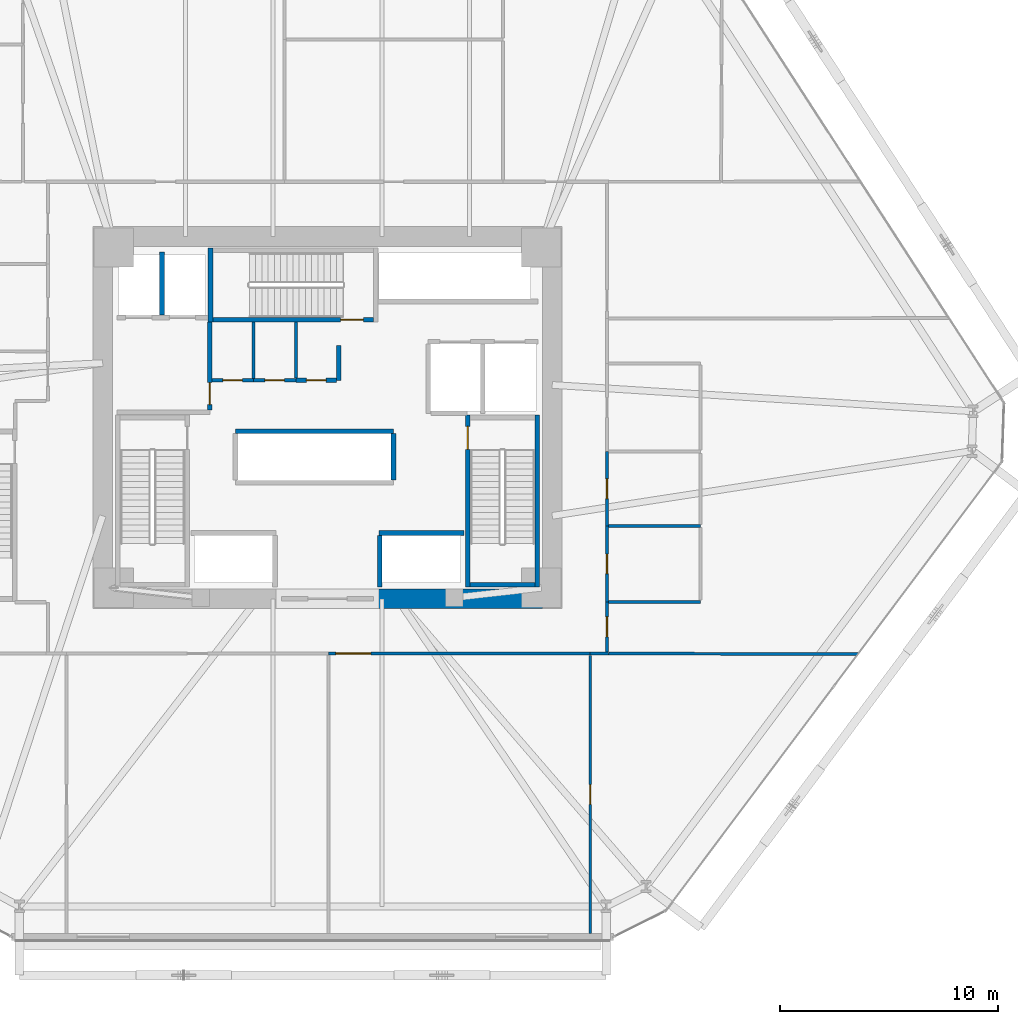
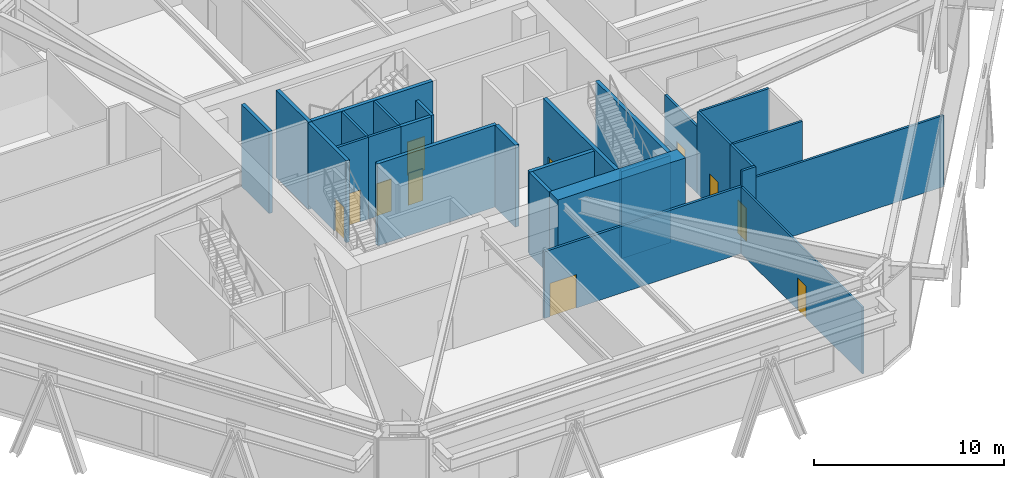
# One storey, part 18 of 23: 27 walls, 11 doors, 11 openings.
"""IFC4 building model written with IfcOpenShell, lengths in metres."""

from ifc_helpers import new_model, si_unit, direction, frame, frame_2d, origin, place, context, subcontext, project, spatial, rectangle, extrude, source, transform, mapped, material, layer, layer_set, type_object, type_shapes, element, fill, save


model = new_model("IFC4")

# Units and contexts
model_context = context("Model", 3, precision=1e-05, world=origin(), true_north=direction((0.0, 1.0)))
body_context = subcontext(model_context, "Body", "Model", "MODEL_VIEW")
ifc_project = project(units=[si_unit("LENGTHUNIT", "METRE"), si_unit("AREAUNIT", "SQUARE_METRE"), si_unit("VOLUMEUNIT", "CUBIC_METRE"), si_unit("PLANEANGLEUNIT", "RADIAN"), si_unit("MASSUNIT", "GRAM", prefix="KILO")], contexts=[model_context])

# Site, building, storey
site_placement = place(None, origin())
site = spatial("IfcSite", under=ifc_project, at=site_placement, CompositionType="ELEMENT")
building_placement = place(site_placement, origin())
building = spatial("IfcBuilding", under=site, at=building_placement, Name="Durnholm Broadcast Tower", CompositionType="ELEMENT")
storey_placement = place(building_placement, frame((0.0, 0.0, 21.199951171875)))
storey = spatial("IfcBuildingStorey", under=building, at=storey_placement, Name="L04", CompositionType="ELEMENT", Elevation=21.199951171875)

# Wall
ifc_material_1 = material(Name="Concrete C70/85", Category="concrete")
ifc_layer_1 = layer(ifc_material_1, 0.89990234375)
ifc_layer_set_1 = layer_set([ifc_layer_1], Name="Concrete C70/85")
wall_type_1 = type_object("IfcWallType", Name="WALL-CW-900", PredefinedType="SHEAR", material=ifc_layer_set_1)
wall_1_placement = place(storey_placement, frame((2.10009765625, -8.300048828125, 0.0), z_axis=(0.0, 0.0, 1.0), x_axis=(1.0, 0.0, 0.0)))
element("IfcWall", 1, at=wall_1_placement, inside=storey, type_object=wall_type_1, Name="L04 central core shear wall CW-S2", PredefinedType="SHEAR", context=body_context, shape_type="SweptSolid", body=[
    extrude(rectangle(XDim=7.75, YDim=0.89990234375, at=frame_2d((3.875, 0.0))), origin(), (0.0, 0.0, 1.0), 5.60009765625),
])

# Wall, opening, door
ifc_material_2 = material(Name="Fire-Rated Gypsum Shaftwall", Category="concrete")
ifc_layer_2 = layer(ifc_material_2, 0.199951171875)
ifc_layer_set_2 = layer_set([ifc_layer_2], Name="Fire-Rated Gypsum Shaftwall")
wall_type_2 = type_object("IfcWallType", Name="WALL-LOB-200", PredefinedType="SOLIDWALL", material=ifc_layer_set_2)
wall_2_placement = place(storey_placement, frame((-5.39990234375, 0.35400390625, 0.0), z_axis=(0.0, 0.0, 1.0), x_axis=(0.0, 1.0, 0.0)))
wall_2 = element("IfcWall", 2, at=wall_2_placement, inside=storey, type_object=wall_type_2, Name="L04 Fire Service Access Elevator lobby east fire wall", PredefinedType="SOLIDWALL", context=body_context, shape_type="SweptSolid", body=[
    extrude(rectangle(XDim=4.02587890625, YDim=0.199951171875, at=frame_2d((2.012939453125, 0.0))), origin(), (0.0, 0.0, 1.0), 5.26513671875),
])
opening_1_placement = place(wall_2_placement, frame((0.24609375, 0.0, 0.0)))
opening_1 = element("IfcOpeningElement", 3, at=opening_1_placement, cuts=wall_2, Name="Opening DL-60L", PredefinedType="OPENING", context=body_context, shape_type="SweptSolid", body=[
    extrude(rectangle(XDim=1.0, YDim=2.14990234375, at=frame_2d((0.5, 1.074951171875))), frame((0.0, 0.10986328125, 0.0), z_axis=(0.0, -1.0, 0.0), x_axis=(1.0, 0.0, 0.0)), (0.0, 0.0, 1.0), 0.219970703125),
])
ifc_material_3 = material(Name="Fire-Rated Timber/Steel Door", Category="steel")
ifc_layer_3 = layer(ifc_material_3, 0.050048828125)
ifc_layer_set_3 = layer_set([ifc_layer_3], Name="Fire-Rated Timber/Steel Door")
door_type_1 = type_object("IfcDoorType", Name="DOOR-LOB-FD60-L", OperationType="NOTDEFINED", PredefinedType="DOOR", material=ifc_layer_set_3)
shared_shape_1 = source(origin(), body_context, "Body", "SweptSolid", [
    extrude(rectangle(XDim=1.0, YDim=2.14990234375, at=frame_2d((0.5, 1.074951171875))), frame((0.0, 0.02490234375, 0.0), z_axis=(0.0, -1.0, 0.0), x_axis=(1.0, 0.0, 0.0)), (0.0, 0.0, 1.0), 0.050048828125),
])
type_shapes(door_type_1, [shared_shape_1])
door_1_placement = place(opening_1_placement, origin())
door_1 = element("IfcDoor", 4, at=door_1_placement, inside=storey, type_object=door_type_1, Name="L04 Fire Service Access Elevator lobby smoke door", OperationType="SINGLE_SWING_LEFT", OverallHeight=2.14990234375, OverallWidth=1.0, PredefinedType="DOOR", context=body_context, shape_type="MappedRepresentation", body=[
    mapped(shared_shape_1, transform((0.0, 0.0, 0.0), x_axis=(1.0, 0.0, 0.0), y_axis=(0.0, 1.0, 0.0), z_axis=(0.0, 0.0, 1.0), scale=1.0)),
])
fill(opening_1, door_1)

# Wall
wall_3_placement = place(storey_placement, frame((0.52001953125, 3.300048828125, 0.0), z_axis=(0.0, 0.0, 1.0), x_axis=(0.0, -1.0, 0.0)))
element("IfcWall", 5, at=wall_3_placement, inside=storey, type_object=wall_type_2, Name="L04 Core Telecom Patch Room corridor partition", PredefinedType="SOLIDWALL", context=body_context, shape_type="SweptSolid", body=[
    extrude(rectangle(XDim=1.590087890625, YDim=0.199951171875, at=frame_2d((0.794921875, 0.0))), origin(), (0.0, 0.0, 1.0), 5.26513671875),
])

# Wall, opening, door
wall_4_placement = place(storey_placement, frame((0.416015625, 1.7099609375, 0.0), z_axis=(0.0, 0.0, 1.0), x_axis=(-1.0, 0.0, 0.0)))
wall_4 = element("IfcWall", 6, at=wall_4_placement, inside=storey, type_object=wall_type_2, Name="L04 Core Telecom Patch Room corridor partition", PredefinedType="SOLIDWALL", context=body_context, shape_type="SweptSolid", body=[
    extrude(rectangle(XDim=1.85595703125, YDim=0.199951171875, at=frame_2d((0.927978515625, 0.0))), origin(), (0.0, 0.0, 1.0), 5.26513671875),
])
opening_2_placement = place(wall_4_placement, frame((0.47802734375, 0.0, 0.0)))
opening_2 = element("IfcOpeningElement", 7, at=opening_2_placement, cuts=wall_4, Name="Opening DC-60L", PredefinedType="OPENING", context=body_context, shape_type="SweptSolid", body=[
    extrude(rectangle(XDim=0.89990234375, YDim=2.050048828125, at=frame_2d((0.449951171875, 1.02490234375))), frame((0.0, 0.10986328125, 0.0), z_axis=(0.0, -1.0, 0.0), x_axis=(1.0, 0.0, 0.0)), (0.0, 0.0, 1.0), 0.219970703125),
])
ifc_material_4 = material(Name="Fire-Rated Core Service Door", Category="steel")
ifc_layer_4 = layer(ifc_material_4, 0.050048828125)
ifc_layer_set_4 = layer_set([ifc_layer_4], Name="Fire-Rated Core Service Door")
door_type_2 = type_object("IfcDoorType", Name="DOOR-CORE-FD60-L", OperationType="NOTDEFINED", PredefinedType="DOOR", material=ifc_layer_set_4)
shared_shape_2 = source(origin(), body_context, "Body", "SweptSolid", [
    extrude(rectangle(XDim=0.89990234375, YDim=2.050048828125, at=frame_2d((0.449951171875, 1.02490234375))), frame((0.0, 0.02490234375, 0.0), z_axis=(0.0, -1.0, 0.0), x_axis=(1.0, 0.0, 0.0)), (0.0, 0.0, 1.0), 0.050048828125),
])
type_shapes(door_type_2, [shared_shape_2])
door_2_placement = place(opening_2_placement, origin())
door_2 = element("IfcDoor", 8, at=door_2_placement, inside=storey, type_object=door_type_2, Name="L04 Core Telecom Patch Room entrance door", OperationType="SINGLE_SWING_LEFT", OverallHeight=2.050048828125, OverallWidth=0.89990234375, PredefinedType="DOOR", context=body_context, shape_type="MappedRepresentation", body=[
    mapped(shared_shape_2, transform((0.0, 0.0, 0.0), x_axis=(1.0, 0.0, 0.0), y_axis=(0.0, 1.0, 0.0), z_axis=(0.0, 0.0, 1.0), scale=1.0)),
])
fill(opening_2, door_2)

ifc_material_5 = material(Name="Operable Acoustic Panel Partition", Category="aluminium")
ifc_layer_5 = layer(ifc_material_5, 0.110107421875)
ifc_layer_set_5 = layer_set([ifc_layer_5], Name="Operable Acoustic Panel Partition")
wall_type_3 = type_object("IfcWallType", Name="WALL-MOV-110", PredefinedType="MOVABLE", material=ifc_layer_set_5)
wall_5_placement = place(storey_placement, frame((12.0400390625, -10.888916015625, 0.0), z_axis=(0.0, 0.0, 1.0), x_axis=(0.0, -1.0, 0.0)))
wall_5 = element("IfcWall", 9, at=wall_5_placement, inside=storey, type_object=wall_type_3, Name="L04 room dividing partition 16.17", PredefinedType="MOVABLE", context=body_context, shape_type="SweptSolid", body=[
    extrude(rectangle(XDim=12.756103515625, YDim=0.110107421875, at=frame_2d((6.3779296875, 0.0))), origin(), (0.0, 0.0, 1.0), 4.28466796875),
])
opening_3_placement = place(wall_5_placement, frame((5.927978515625, 0.0, 0.0)))
opening_3 = element("IfcOpeningElement", 10, at=opening_3_placement, cuts=wall_5, Name="Opening DW-90L", PredefinedType="OPENING", context=body_context, shape_type="SweptSolid", body=[
    extrude(rectangle(XDim=0.89990234375, YDim=2.050048828125, at=frame_2d((0.449951171875, 1.02490234375))), frame((0.0, 0.06494140625, 0.0), z_axis=(0.0, -1.0, 0.0), x_axis=(1.0, 0.0, 0.0)), (0.0, 0.0, 1.0), 0.130126953125),
])
ifc_material_6 = material(Name="Laminate Restroom Door", Category="steel")
ifc_layer_6 = layer(ifc_material_6, 0.050048828125)
ifc_layer_set_6 = layer_set([ifc_layer_6], Name="Laminate Restroom Door")
door_type_3 = type_object("IfcDoorType", Name="DOOR-WC-900L", OperationType="NOTDEFINED", PredefinedType="DOOR", material=ifc_layer_set_6)
shared_shape_3 = source(origin(), body_context, "Body", "SweptSolid", [
    extrude(rectangle(XDim=0.89990234375, YDim=2.050048828125, at=frame_2d((0.449951171875, 1.02490234375))), frame((0.0, 0.02490234375, 0.0), z_axis=(0.0, -1.0, 0.0), x_axis=(1.0, 0.0, 0.0)), (0.0, 0.0, 1.0), 0.050048828125),
])
type_shapes(door_type_3, [shared_shape_3])
door_3_placement = place(opening_3_placement, origin())
door_3 = element("IfcDoor", 11, at=door_3_placement, inside=storey, type_object=door_type_3, Name="L04 Live Audio Office connecting door", OperationType="SINGLE_SWING_LEFT", OverallHeight=2.050048828125, OverallWidth=0.89990234375, PredefinedType="DOOR", context=body_context, shape_type="MappedRepresentation", body=[
    mapped(shared_shape_3, transform((0.0, 0.0, 0.0), x_axis=(1.0, 0.0, 0.0), y_axis=(0.0, 1.0, 0.0), z_axis=(0.0, 0.0, 1.0), scale=1.0)),
])
fill(opening_3, door_3)

# Walls
ifc_material_7 = material(Name="Gypsum Metal Stud Partition", Category="concrete")
ifc_layer_7 = layer(ifc_material_7, 0.135009765625)
ifc_layer_set_7 = layer_set([ifc_layer_7], Name="Gypsum Metal Stud Partition")
wall_type_4 = type_object("IfcWallType", Name="WALL-PART-135", PredefinedType="PARTITIONING", material=ifc_layer_set_7)
wall_6_placement = place(storey_placement, frame((-3.39990234375, 4.375, 0.0), z_axis=(0.0, 0.0, 1.0), x_axis=(0.0, -1.0, 0.0)))
element("IfcWall", 12, at=wall_6_placement, inside=storey, type_object=wall_type_4, Name="L04 room dividing partition 1.2", PredefinedType="PARTITIONING", context=body_context, shape_type="SweptSolid", body=[
    extrude(rectangle(XDim=2.5859375, YDim=0.135009765625, at=frame_2d((1.29296875, 0.0))), origin(), (0.0, 0.0, 1.0), 5.26513671875),
])
wall_7_placement = place(storey_placement, frame((-1.43994140625, 4.375, 0.0), z_axis=(0.0, 0.0, 1.0), x_axis=(0.0, -1.0, 0.0)))
element("IfcWall", 13, at=wall_7_placement, inside=storey, type_object=wall_type_4, Name="L04 room dividing partition 2.3", PredefinedType="PARTITIONING", context=body_context, shape_type="SweptSolid", body=[
    extrude(rectangle(XDim=2.56103515625, YDim=0.135009765625, at=frame_2d((1.280517578125, 0.0))), origin(), (0.0, 0.0, 1.0), 5.26513671875),
])
wall_8_placement = place(storey_placement, frame((12.889892578125, -10.810302734375, 0.0), z_axis=(0.0, 0.0, 1.0), x_axis=(0.999997852069, -0.002072645121, 0.0)))
element("IfcWall", 14, at=wall_8_placement, inside=storey, type_object=wall_type_4, Name="L04 room dividing partition 17.21", PredefinedType="PARTITIONING", context=body_context, shape_type="SweptSolid", body=[
    extrude(rectangle(XDim=11.42578125, YDim=0.135009765625, at=frame_2d((5.712890625, 0.0))), origin(), (0.0, 0.0, 1.0), 4.57421875),
])

# Wall, opening, door
ifc_material_8 = material(Name="Acoustic Gypsum Stud Partition", Category="concrete")
ifc_layer_8 = layer(ifc_material_8, 0.14990234375)
ifc_layer_set_8 = layer_set([ifc_layer_8], Name="Acoustic Gypsum Stud Partition")
wall_type_5 = type_object("IfcWallType", Name="WALL-PART-150", PredefinedType="PARTITIONING", material=ifc_layer_set_8)
wall_9_placement = place(storey_placement, frame((-3.39990234375, 1.7099609375, 0.0), z_axis=(0.0, 0.0, 1.0), x_axis=(-1.0, 0.0, 0.0)))
wall_9 = element("IfcWall", 15, at=wall_9_placement, inside=storey, type_object=wall_type_5, Name="L04 Core Copy and Print Closet corridor partition", PredefinedType="PARTITIONING", context=body_context, shape_type="SweptSolid", body=[
    extrude(rectangle(XDim=1.89599609375, YDim=0.14990234375, at=frame_2d((0.947998046875, 0.0))), origin(), (0.0, 0.0, 1.0), 5.26513671875),
])
opening_4_placement = place(wall_9_placement, frame((0.498046875, 0.0, 0.0)))
opening_4 = element("IfcOpeningElement", 16, at=opening_4_placement, cuts=wall_9, Name="Opening DC-60L", PredefinedType="OPENING", context=body_context, shape_type="SweptSolid", body=[
    extrude(rectangle(XDim=0.89990234375, YDim=2.050048828125, at=frame_2d((0.449951171875, 1.02490234375))), frame((0.0, 0.0849609375, 0.0), z_axis=(0.0, -1.0, 0.0), x_axis=(1.0, 0.0, 0.0)), (0.0, 0.0, 1.0), 0.169921875),
])
door_4_placement = place(opening_4_placement, origin())
door_4 = element("IfcDoor", 17, at=door_4_placement, inside=storey, type_object=door_type_2, Name="L04 Core Copy and Print Closet entrance door", OperationType="SINGLE_SWING_LEFT", OverallHeight=2.050048828125, OverallWidth=0.89990234375, PredefinedType="DOOR", context=body_context, shape_type="MappedRepresentation", body=[
    mapped(shared_shape_2, transform((0.0, 0.0, 0.0), x_axis=(1.0, 0.0, 0.0), y_axis=(0.0, 1.0, 0.0), z_axis=(0.0, 0.0, 1.0), scale=1.0)),
])
fill(opening_4, door_4)

wall_10_placement = place(storey_placement, frame((-1.43994140625, 1.7099609375, 0.0), z_axis=(0.0, 0.0, 1.0), x_axis=(-1.0, 0.0, 0.0)))
wall_10 = element("IfcWall", 18, at=wall_10_placement, inside=storey, type_object=wall_type_5, Name="L04 Core Janitor Supply Closet corridor partition", PredefinedType="PARTITIONING", context=body_context, shape_type="SweptSolid", body=[
    extrude(rectangle(XDim=1.9599609375, YDim=0.14990234375, at=frame_2d((0.97998046875, 0.0))), origin(), (0.0, 0.0, 1.0), 5.26513671875),
])
opening_5_placement = place(wall_10_placement, frame((0.530029296875, 0.0, 0.0)))
opening_5 = element("IfcOpeningElement", 19, at=opening_5_placement, cuts=wall_10, Name="Opening DC-60R", PredefinedType="OPENING", context=body_context, shape_type="SweptSolid", body=[
    extrude(rectangle(XDim=0.89990234375, YDim=2.050048828125, at=frame_2d((0.449951171875, 1.02490234375))), frame((0.0, 0.0849609375, 0.0), z_axis=(0.0, -1.0, 0.0), x_axis=(1.0, 0.0, 0.0)), (0.0, 0.0, 1.0), 0.169921875),
])
ifc_layer_9 = layer(ifc_material_4, 0.050048828125)
ifc_layer_set_9 = layer_set([ifc_layer_9], Name="Fire-Rated Core Service Door")
door_type_4 = type_object("IfcDoorType", Name="DOOR-CORE-FD60-R", OperationType="NOTDEFINED", PredefinedType="DOOR", material=ifc_layer_set_9)
shared_shape_4 = source(origin(), body_context, "Body", "SweptSolid", [
    extrude(rectangle(XDim=0.89990234375, YDim=2.050048828125, at=frame_2d((0.449951171875, 1.02490234375))), frame((0.0, 0.02490234375, 0.0), z_axis=(0.0, -1.0, 0.0), x_axis=(1.0, 0.0, 0.0)), (0.0, 0.0, 1.0), 0.050048828125),
])
type_shapes(door_type_4, [shared_shape_4])
door_5_placement = place(opening_5_placement, origin())
door_5 = element("IfcDoor", 20, at=door_5_placement, inside=storey, type_object=door_type_4, Name="L04 Core Janitor Supply Closet entrance door", OperationType="SINGLE_SWING_RIGHT", OverallHeight=2.050048828125, OverallWidth=0.89990234375, PredefinedType="DOOR", context=body_context, shape_type="MappedRepresentation", body=[
    mapped(shared_shape_4, transform((0.0, 0.0, 0.0), x_axis=(1.0, 0.0, 0.0), y_axis=(0.0, 1.0, 0.0), z_axis=(0.0, 0.0, 1.0), scale=1.0)),
])
fill(opening_5, door_5)

wall_11_placement = place(storey_placement, frame((0.0400390625, -10.81005859375, 0.0), z_axis=(0.0, 0.0, 1.0), x_axis=(1.0, 0.0, 0.0)))
wall_11 = element("IfcWall", 21, at=wall_11_placement, inside=storey, type_object=wall_type_5, Name="L04 News Production Hall 4B corridor partition", PredefinedType="PARTITIONING", context=body_context, shape_type="SweptSolid", body=[
    extrude(rectangle(XDim=12.0, YDim=0.14990234375, at=frame_2d((6.0, 0.0))), origin(), (0.0, 0.0, 1.0), 4.28466796875),
])
opening_6_placement = place(wall_11_placement, frame((0.35009765625, 0.0, 0.0)))
opening_6 = element("IfcOpeningElement", 22, at=opening_6_placement, cuts=wall_11, Name="Opening DST-160", PredefinedType="OPENING", context=body_context, shape_type="SweptSolid", body=[
    extrude(rectangle(XDim=1.60009765625, YDim=2.14990234375, at=frame_2d((0.800048828125, 1.074951171875))), frame((0.0, 0.0849609375, 0.0), z_axis=(0.0, -1.0, 0.0), x_axis=(1.0, 0.0, 0.0)), (0.0, 0.0, 1.0), 0.169921875),
])
ifc_material_9 = material(Name="Acoustic Broadcast Studio Sound-Lock Door", Category="steel")
ifc_layer_10 = layer(ifc_material_9, 0.050048828125)
ifc_layer_set_10 = layer_set([ifc_layer_10], Name="Acoustic Broadcast Studio Sound-Lock Door")
door_type_5 = type_object("IfcDoorType", Name="DOOR-STU-1600", OperationType="DOUBLE_DOOR_SINGLE_SWING", PredefinedType="DOOR", material=ifc_layer_set_10)
shared_shape_5 = source(origin(), body_context, "Body", "SweptSolid", [
    extrude(rectangle(XDim=1.60009765625, YDim=2.14990234375, at=frame_2d((0.800048828125, 1.074951171875))), frame((0.0, 0.02490234375, 0.0), z_axis=(0.0, -1.0, 0.0), x_axis=(1.0, 0.0, 0.0)), (0.0, 0.0, 1.0), 0.050048828125),
])
type_shapes(door_type_5, [shared_shape_5])
door_6_placement = place(opening_6_placement, origin())
door_6 = element("IfcDoor", 23, at=door_6_placement, inside=storey, type_object=door_type_5, Name="L04 News Production Hall 4B entrance door", OperationType="DOUBLE_DOOR_SINGLE_SWING", OverallHeight=2.14990234375, OverallWidth=1.60009765625, PredefinedType="DOOR", context=body_context, shape_type="MappedRepresentation", body=[
    mapped(shared_shape_5, transform((0.0, 0.0, 0.0), x_axis=(1.0, 0.0, 0.0), y_axis=(0.0, 1.0, 0.0), z_axis=(0.0, 0.0, 1.0), scale=1.0)),
])
fill(opening_6, door_6)

# Wall
wall_12_placement = place(storey_placement, frame((12.0400390625, -10.81005859375, 0.0), z_axis=(0.0, 0.0, 1.0), x_axis=(1.0, 0.0, 0.0)))
element("IfcWall", 24, at=wall_12_placement, inside=storey, type_object=wall_type_5, Name="L04 Live Audio Office corridor partition", PredefinedType="PARTITIONING", context=body_context, shape_type="SweptSolid", body=[
    extrude(rectangle(XDim=0.849853515625, YDim=0.14990234375, at=frame_2d((0.4248046875, 0.0))), origin(), (0.0, 0.0, 1.0), 5.26513671875),
])

# Wall, opening, door
wall_13_placement = place(storey_placement, frame((12.81005859375, -10.73095703125, 0.0), z_axis=(0.0, 0.0, 1.0), x_axis=(0.0, 1.0, 0.0)))
wall_13 = element("IfcWall", 25, at=wall_13_placement, inside=storey, type_object=wall_type_5, Name="L04 Crew Dining Room corridor partition", PredefinedType="PARTITIONING", context=body_context, shape_type="SweptSolid", body=[
    extrude(rectangle(XDim=2.291015625, YDim=0.14990234375, at=frame_2d((1.1455078125, 0.0))), origin(), (0.0, 0.0, 1.0), 5.26513671875),
])
opening_7_placement = place(wall_13_placement, frame((0.685546875, 0.0, 0.0)))
opening_7 = element("IfcOpeningElement", 26, at=opening_7_placement, cuts=wall_13, Name="Opening DR-92L", PredefinedType="OPENING", context=body_context, shape_type="SweptSolid", body=[
    extrude(rectangle(XDim=0.919921875, YDim=2.10009765625, at=frame_2d((0.4599609375, 1.050048828125))), frame((0.0, 0.0849609375, 0.0), z_axis=(0.0, -1.0, 0.0), x_axis=(1.0, 0.0, 0.0)), (0.0, 0.0, 1.0), 0.169921875),
])
ifc_material_10 = material(Name="Oak Veneer Office Door", Category="wood")
ifc_layer_11 = layer(ifc_material_10, 0.050048828125)
ifc_layer_set_11 = layer_set([ifc_layer_11], Name="Oak Veneer Office Door")
door_type_6 = type_object("IfcDoorType", Name="DOOR-RM-920L", OperationType="NOTDEFINED", PredefinedType="DOOR", material=ifc_layer_set_11)
shared_shape_6 = source(origin(), body_context, "Body", "SweptSolid", [
    extrude(rectangle(XDim=0.919921875, YDim=2.10009765625, at=frame_2d((0.4599609375, 1.050048828125))), frame((0.0, 0.02490234375, 0.0), z_axis=(0.0, -1.0, 0.0), x_axis=(1.0, 0.0, 0.0)), (0.0, 0.0, 1.0), 0.050048828125),
])
type_shapes(door_type_6, [shared_shape_6])
door_7_placement = place(opening_7_placement, origin())
door_7 = element("IfcDoor", 27, at=door_7_placement, inside=storey, type_object=door_type_6, Name="L04 Crew Dining Room entrance door", OperationType="SINGLE_SWING_LEFT", OverallHeight=2.10009765625, OverallWidth=0.919921875, PredefinedType="DOOR", context=body_context, shape_type="MappedRepresentation", body=[
    mapped(shared_shape_6, transform((0.0, 0.0, 0.0), x_axis=(1.0, 0.0, 0.0), y_axis=(0.0, 1.0, 0.0), z_axis=(0.0, 0.0, 1.0), scale=1.0)),
])
fill(opening_7, door_7)

# Walls
ifc_material_11 = material(Name="Concrete Blockwork C30/37", Category="masonry")
ifc_layer_12 = layer(ifc_material_11, 0.219970703125)
ifc_layer_set_12 = layer_set([ifc_layer_12], Name="Concrete Blockwork C30/37")
wall_type_6 = type_object("IfcWallType", Name="WALL-SHAFT-220", PredefinedType="SOLIDWALL", material=ifc_layer_set_12)
wall_14_placement = place(storey_placement, frame((-7.580078125, 4.694091796875, 0.0), z_axis=(0.0, 0.0, 1.0), x_axis=(0.0, 1.0, 0.0)))
element("IfcWall", 28, at=wall_14_placement, inside=storey, type_object=wall_type_6, Name="L04 FSAE shaft divider wall", PredefinedType="SOLIDWALL", context=body_context, shape_type="SweptSolid", body=[
    extrude(rectangle(XDim=2.906005859375, YDim=0.219970703125, at=frame_2d((1.453125, 0.0))), origin(), (0.0, 0.0, 1.0), 5.26513671875),
])
wall_15_placement = place(storey_placement, frame((2.35009765625, -5.280029296875, 0.0), z_axis=(0.0, 0.0, 1.0), x_axis=(1.0, 0.0, 0.0)))
element("IfcWall", 29, at=wall_15_placement, inside=storey, type_object=wall_type_6, Name="L04 low-rise bank P1 east front wall", PredefinedType="SOLIDWALL", context=body_context, shape_type="SweptSolid", body=[
    extrude(rectangle(XDim=3.89990234375, YDim=0.219970703125, at=frame_2d((1.949951171875, 0.0))), origin(), (0.0, 0.0, 1.0), 5.26513671875),
])
wall_16_placement = place(storey_placement, frame((2.39990234375, -7.75, 0.0), z_axis=(0.0, 0.0, 1.0), x_axis=(0.0, 1.0, 0.0)))
element("IfcWall", 30, at=wall_16_placement, inside=storey, type_object=wall_type_6, Name="L04 low-rise bank P1 east mouth wall", PredefinedType="SOLIDWALL", context=body_context, shape_type="SweptSolid", body=[
    extrude(rectangle(XDim=2.35595703125, YDim=0.219970703125, at=frame_2d((1.177978515625, 0.0))), origin(), (0.0, 0.0, 1.0), 5.26513671875),
])
wall_17_placement = place(storey_placement, frame((-4.219970703125, -0.6201171875, 0.0), z_axis=(0.0, 0.0, 1.0), x_axis=(1.0, 0.0, 0.0)))
element("IfcWall", 31, at=wall_17_placement, inside=storey, type_object=wall_type_6, Name="L04 mid-rise bank P2 north shaft wall", PredefinedType="SOLIDWALL", context=body_context, shape_type="SweptSolid", body=[
    extrude(rectangle(XDim=7.239990234375, YDim=0.219970703125, at=frame_2d((3.6201171875, 0.0))), origin(), (0.0, 0.0, 1.0), 5.26513671875),
])
wall_18_placement = place(storey_placement, frame((3.02001953125, -2.865966796875, 0.0), z_axis=(0.0, 0.0, 1.0), x_axis=(0.0, 1.0, 0.0)))
element("IfcWall", 32, at=wall_18_placement, inside=storey, type_object=wall_type_6, Name="L04 mid-rise bank P2 east shaft wall", PredefinedType="SOLIDWALL", context=body_context, shape_type="SweptSolid", body=[
    extrude(rectangle(XDim=2.132080078125, YDim=0.219970703125, at=frame_2d((1.06591796875, 0.0))), origin(), (0.0, 0.0, 1.0), 5.26513671875),
])
ifc_material_12 = material(Name="Concrete C50/60", Category="concrete")
ifc_layer_13 = layer(ifc_material_12, 0.219970703125)
ifc_layer_set_13 = layer_set([ifc_layer_13], Name="Concrete C50/60")
wall_type_7 = type_object("IfcWallType", Name="WALL-SW-220", PredefinedType="SHEAR", material=ifc_layer_set_13)
wall_19_placement = place(storey_placement, frame((9.610107421875, -7.77001953125, -0.320068359375), z_axis=(0.0, 0.0, 1.0), x_axis=(0.0, 1.0, 0.0)))
element("IfcWall", 33, at=wall_19_placement, inside=storey, type_object=wall_type_7, Name="L04 stair ST-2 structural shaft wall E", PredefinedType="SHEAR", context=body_context, shape_type="SweptSolid", body=[
    extrude(rectangle(XDim=7.89013671875, YDim=0.219970703125, at=frame_2d((3.945068359375, 0.0))), origin(), (0.0, 0.0, 1.0), 5.60009765625),
])

# Wall, opening, door
wall_20_placement = place(storey_placement, frame((6.429931640625, 0.1201171875, -0.320068359375), z_axis=(0.0, 0.0, 1.0), x_axis=(0.0, -1.0, 0.0)))
wall_20 = element("IfcWall", 34, at=wall_20_placement, inside=storey, type_object=wall_type_7, Name="L04 stair ST-2 structural shaft wall W", PredefinedType="SHEAR", context=body_context, shape_type="SweptSolid", body=[
    extrude(rectangle(XDim=7.89013671875, YDim=0.219970703125, at=frame_2d((3.945068359375, 0.0))), origin(), (0.0, 0.0, 1.0), 5.60009765625),
])
opening_8_placement = place(wall_20_placement, frame((0.52001953125, 0.0, 0.0)))
opening_8 = element("IfcOpeningElement", 35, at=opening_8_placement, cuts=wall_20, Name="Opening DS-90R", PredefinedType="OPENING", context=body_context, shape_type="SweptSolid", body=[
    extrude(rectangle(XDim=1.050048828125, YDim=2.14990234375, at=frame_2d((0.52490234375, 1.074951171875))), frame((0.0, 0.1201171875, 0.0), z_axis=(0.0, -1.0, 0.0), x_axis=(1.0, 0.0, 0.0)), (0.0, 0.0, 1.0), 0.239990234375),
])
ifc_material_13 = material(Name="Fire-Rated Steel Door", Category="steel")
ifc_layer_14 = layer(ifc_material_13, 0.050048828125)
ifc_layer_set_14 = layer_set([ifc_layer_14], Name="Fire-Rated Steel Door")
door_type_7 = type_object("IfcDoorType", Name="DOOR-ST-FD90-R", OperationType="NOTDEFINED", PredefinedType="DOOR", material=ifc_layer_set_14)
shared_shape_7 = source(origin(), body_context, "Body", "SweptSolid", [
    extrude(rectangle(XDim=1.050048828125, YDim=2.14990234375, at=frame_2d((0.52490234375, 1.074951171875))), frame((0.0, 0.02490234375, 0.0), z_axis=(0.0, -1.0, 0.0), x_axis=(1.0, 0.0, 0.0)), (0.0, 0.0, 1.0), 0.050048828125),
])
type_shapes(door_type_7, [shared_shape_7])
door_8_placement = place(opening_8_placement, origin())
door_8 = element("IfcDoor", 36, at=door_8_placement, inside=storey, type_object=door_type_7, Name="L04 exit stair ST-2 fire door", OperationType="SINGLE_SWING_RIGHT", OverallHeight=2.14990234375, OverallWidth=1.050048828125, PredefinedType="DOOR", context=body_context, shape_type="MappedRepresentation", body=[
    mapped(shared_shape_7, transform((0.0, 0.0, 0.0), x_axis=(1.0, 0.0, 0.0), y_axis=(0.0, 1.0, 0.0), z_axis=(0.0, 0.0, 1.0), scale=1.0)),
])
fill(opening_8, door_8)

# Walls
wall_21_placement = place(storey_placement, frame((6.5400390625, -7.659912109375, -0.320068359375), z_axis=(0.0, 0.0, 1.0), x_axis=(1.0, 0.0, 0.0)))
element("IfcWall", 37, at=wall_21_placement, inside=storey, type_object=wall_type_7, Name="L04 stair ST-2 structural shaft wall S", PredefinedType="SHEAR", context=body_context, shape_type="SweptSolid", body=[
    extrude(rectangle(XDim=2.9599609375, YDim=0.219970703125, at=frame_2d((1.47998046875, 0.0))), origin(), (0.0, 0.0, 1.0), 5.60009765625),
])
wall_22_placement = place(storey_placement, frame((-5.360107421875, 7.780029296875, -0.320068359375), z_axis=(0.0, 0.0, 1.0), x_axis=(0.0, -1.0, 0.0)))
element("IfcWall", 38, at=wall_22_placement, inside=storey, type_object=wall_type_7, Name="L04 stair ST-3 structural shaft wall W", PredefinedType="SHEAR", context=body_context, shape_type="SweptSolid", body=[
    extrude(rectangle(XDim=3.400146484375, YDim=0.219970703125, at=frame_2d((1.7001953125, 0.0))), origin(), (0.0, 0.0, 1.0), 5.60009765625),
])

# Wall, opening, door
wall_23_placement = place(storey_placement, frame((-5.25, 4.489990234375, -0.320068359375), z_axis=(0.0, 0.0, 1.0), x_axis=(1.0, 0.0, 0.0)))
wall_23 = element("IfcWall", 39, at=wall_23_placement, inside=storey, type_object=wall_type_7, Name="L04 stair ST-3 structural shaft wall S", PredefinedType="SHEAR", context=body_context, shape_type="SweptSolid", body=[
    extrude(rectangle(XDim=7.35009765625, YDim=0.219970703125, at=frame_2d((3.675048828125, 0.0))), origin(), (0.0, 0.0, 1.0), 5.60009765625),
])
opening_9_placement = place(wall_23_placement, frame((5.85009765625, 0.0, 0.0)))
opening_9 = element("IfcOpeningElement", 40, at=opening_9_placement, cuts=wall_23, Name="Opening DS-90L", PredefinedType="OPENING", context=body_context, shape_type="SweptSolid", body=[
    extrude(rectangle(XDim=1.050048828125, YDim=2.14990234375, at=frame_2d((0.52490234375, 1.074951171875))), frame((0.0, 0.1201171875, 0.0), z_axis=(0.0, -1.0, 0.0), x_axis=(1.0, 0.0, 0.0)), (0.0, 0.0, 1.0), 0.239990234375),
])
ifc_layer_15 = layer(ifc_material_13, 0.050048828125)
ifc_layer_set_15 = layer_set([ifc_layer_15], Name="Fire-Rated Steel Door")
door_type_8 = type_object("IfcDoorType", Name="DOOR-ST-FD90-L", OperationType="NOTDEFINED", PredefinedType="DOOR", material=ifc_layer_set_15)
shared_shape_8 = source(origin(), body_context, "Body", "SweptSolid", [
    extrude(rectangle(XDim=1.050048828125, YDim=2.14990234375, at=frame_2d((0.52490234375, 1.074951171875))), frame((0.0, 0.02490234375, 0.0), z_axis=(0.0, -1.0, 0.0), x_axis=(1.0, 0.0, 0.0)), (0.0, 0.0, 1.0), 0.050048828125),
])
type_shapes(door_type_8, [shared_shape_8])
door_9_placement = place(opening_9_placement, origin())
door_9 = element("IfcDoor", 41, at=door_9_placement, inside=storey, type_object=door_type_8, Name="L04 exit stair ST-3 fire door", OperationType="SINGLE_SWING_LEFT", OverallHeight=2.14990234375, OverallWidth=1.050048828125, PredefinedType="DOOR", context=body_context, shape_type="MappedRepresentation", body=[
    mapped(shared_shape_8, transform((0.0, 0.0, 0.0), x_axis=(1.0, 0.0, 0.0), y_axis=(0.0, 1.0, 0.0), z_axis=(0.0, 0.0, 1.0), scale=1.0)),
])
fill(opening_9, door_9)

ifc_material_14 = material(Name="Moisture-Resistant Tile Partition", Category="concrete")
ifc_layer_16 = layer(ifc_material_14, 0.139892578125)
ifc_layer_set_16 = layer_set([ifc_layer_16], Name="Moisture-Resistant Tile Partition")
wall_type_8 = type_object("IfcWallType", Name="WALL-WC-140", PredefinedType="PARTITIONING", material=ifc_layer_set_16)
wall_24_placement = place(storey_placement, frame((12.81005859375, -8.43994140625, 0.0), z_axis=(0.0, 0.0, 1.0), x_axis=(0.0, 1.0, 0.0)))
wall_24 = element("IfcWall", 42, at=wall_24_placement, inside=storey, type_object=wall_type_8, Name="L04 Men's Restroom corridor partition", PredefinedType="PARTITIONING", context=body_context, shape_type="SweptSolid", body=[
    extrude(rectangle(XDim=3.47998046875, YDim=0.139892578125, at=frame_2d((1.739990234375, 0.0))), origin(), (0.0, 0.0, 1.0), 5.26513671875),
])
opening_10_placement = place(wall_24_placement, frame((1.2900390625, 0.0, 0.0)))
opening_10 = element("IfcOpeningElement", 43, at=opening_10_placement, cuts=wall_24, Name="Opening DW-90R", PredefinedType="OPENING", context=body_context, shape_type="SweptSolid", body=[
    extrude(rectangle(XDim=0.89990234375, YDim=2.050048828125, at=frame_2d((0.449951171875, 1.02490234375))), frame((0.0, 0.080078125, 0.0), z_axis=(0.0, -1.0, 0.0), x_axis=(1.0, 0.0, 0.0)), (0.0, 0.0, 1.0), 0.159912109375),
])
ifc_layer_17 = layer(ifc_material_6, 0.050048828125)
ifc_layer_set_17 = layer_set([ifc_layer_17], Name="Laminate Restroom Door")
door_type_9 = type_object("IfcDoorType", Name="DOOR-WC-900R", OperationType="NOTDEFINED", PredefinedType="DOOR", material=ifc_layer_set_17)
shared_shape_9 = source(origin(), body_context, "Body", "SweptSolid", [
    extrude(rectangle(XDim=0.89990234375, YDim=2.050048828125, at=frame_2d((0.449951171875, 1.02490234375))), frame((0.0, 0.02490234375, 0.0), z_axis=(0.0, -1.0, 0.0), x_axis=(1.0, 0.0, 0.0)), (0.0, 0.0, 1.0), 0.050048828125),
])
type_shapes(door_type_9, [shared_shape_9])
door_10_placement = place(opening_10_placement, origin())
door_10 = element("IfcDoor", 44, at=door_10_placement, inside=storey, type_object=door_type_9, Name="L04 Men's Restroom entrance door", OperationType="SINGLE_SWING_RIGHT", OverallHeight=2.050048828125, OverallWidth=0.89990234375, PredefinedType="DOOR", context=body_context, shape_type="MappedRepresentation", body=[
    mapped(shared_shape_9, transform((0.0, 0.0, 0.0), x_axis=(1.0, 0.0, 0.0), y_axis=(0.0, 1.0, 0.0), z_axis=(0.0, 0.0, 1.0), scale=1.0)),
])
fill(opening_10, door_10)

wall_25_placement = place(storey_placement, frame((12.81005859375, -4.9599609375, 0.0), z_axis=(0.0, 0.0, 1.0), x_axis=(0.0, 1.0, 0.0)))
wall_25 = element("IfcWall", 45, at=wall_25_placement, inside=storey, type_object=wall_type_8, Name="L04 Women's Restroom corridor partition", PredefinedType="PARTITIONING", context=body_context, shape_type="SweptSolid", body=[
    extrude(rectangle(XDim=3.39990234375, YDim=0.139892578125, at=frame_2d((1.699951171875, 0.0))), origin(), (0.0, 0.0, 1.0), 4.28466796875),
])
opening_11_placement = place(wall_25_placement, frame((1.25, 0.0, 0.0)))
opening_11 = element("IfcOpeningElement", 46, at=opening_11_placement, cuts=wall_25, Name="Opening DW-90L", PredefinedType="OPENING", context=body_context, shape_type="SweptSolid", body=[
    extrude(rectangle(XDim=0.89990234375, YDim=2.050048828125, at=frame_2d((0.449951171875, 1.02490234375))), frame((0.0, 0.080078125, 0.0), z_axis=(0.0, -1.0, 0.0), x_axis=(1.0, 0.0, 0.0)), (0.0, 0.0, 1.0), 0.159912109375),
])
door_11_placement = place(opening_11_placement, origin())
door_11 = element("IfcDoor", 47, at=door_11_placement, inside=storey, type_object=door_type_3, Name="L04 Women's Restroom entrance door", OperationType="SINGLE_SWING_LEFT", OverallHeight=2.050048828125, OverallWidth=0.89990234375, PredefinedType="DOOR", context=body_context, shape_type="MappedRepresentation", body=[
    mapped(shared_shape_3, transform((0.0, 0.0, 0.0), x_axis=(1.0, 0.0, 0.0), y_axis=(0.0, 1.0, 0.0), z_axis=(0.0, 0.0, 1.0), scale=1.0)),
])
fill(opening_11, door_11)

# Walls
wall_26_placement = place(storey_placement, frame((12.884033203125, -4.9599609375, 0.0), z_axis=(0.0, 0.0, 1.0), x_axis=(1.0, 0.0, 0.0)))
element("IfcWall", 48, at=wall_26_placement, inside=storey, type_object=wall_type_8, Name="L04 room dividing partition 4.5", PredefinedType="PARTITIONING", context=body_context, shape_type="SweptSolid", body=[
    extrude(rectangle(XDim=4.2060546875, YDim=0.139892578125, at=frame_2d((2.10302734375, 0.0))), origin(), (0.0, 0.0, 1.0), 5.26513671875),
])
wall_27_placement = place(storey_placement, frame((17.090087890625, -8.43994140625, 0.0), z_axis=(0.0, 0.0, 1.0), x_axis=(-1.0, 0.0, 0.0)))
element("IfcWall", 49, at=wall_27_placement, inside=storey, type_object=wall_type_8, Name="L04 room dividing partition 4.21", PredefinedType="PARTITIONING", context=body_context, shape_type="SweptSolid", body=[
    extrude(rectangle(XDim=4.201171875, YDim=0.139892578125, at=frame_2d((2.1005859375, 0.0))), origin(), (0.0, 0.0, 1.0), 5.26513671875),
])

save(model, "model.ifc")
